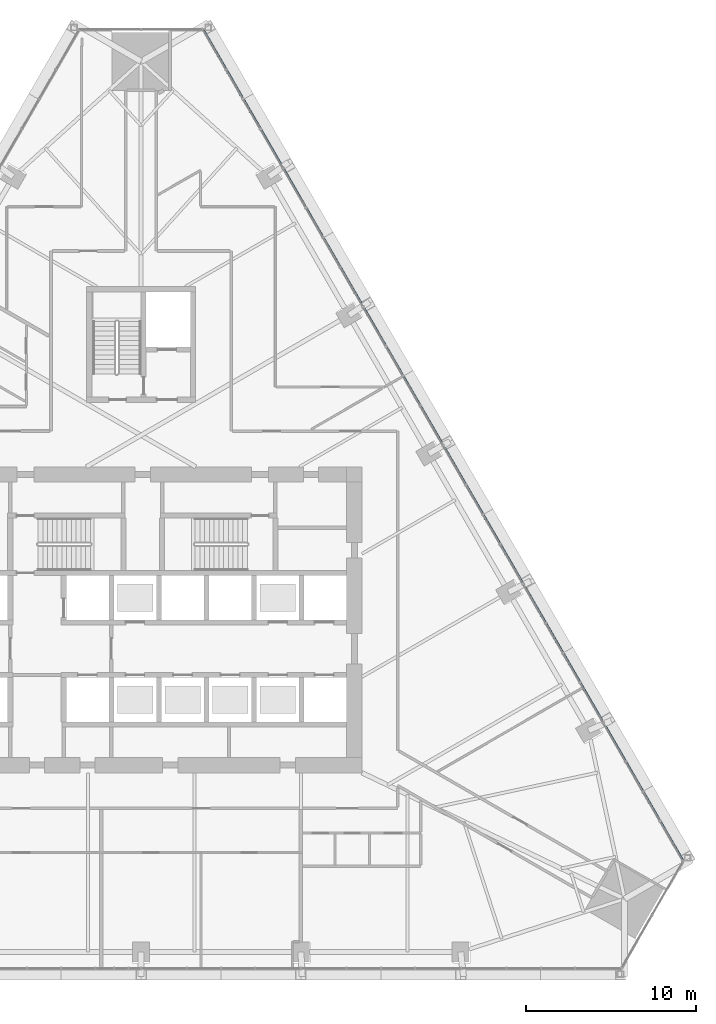
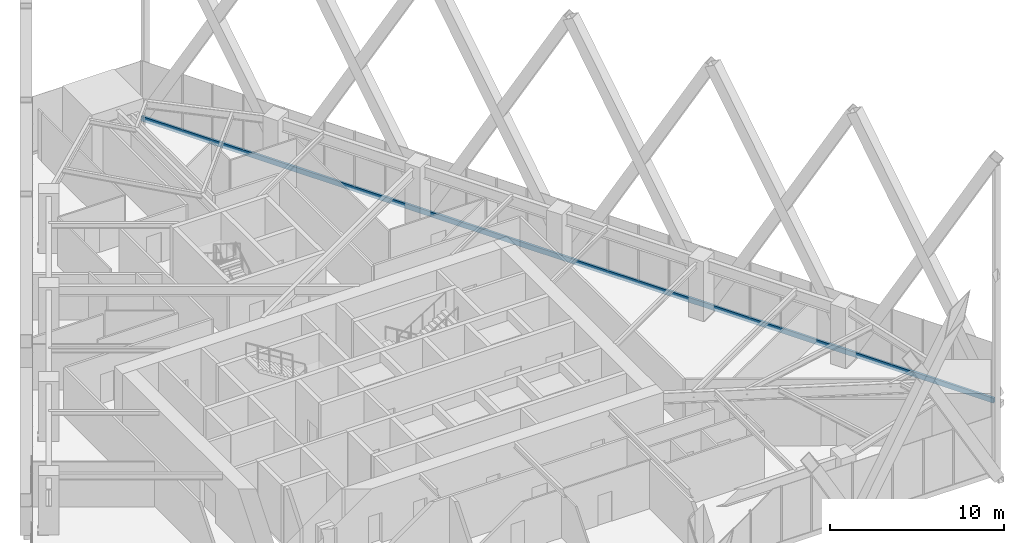
# One storey, part 9 of 21: 1 member, 1 element without a shape of its own.
"""IFC4 building model written with IfcOpenShell, lengths in metres."""

import ifcopenshell
import ifcopenshell.guid

model = None  # the IFC model being written
_history = None  # IfcOwnerHistory: only IFC2X3 demands one
_inside = {}  # id of a spatial element -> (the spatial element, [elements in it])
_under = {}  # id of a project, library or spatial element -> (it, [spatial elements below it])
_declared = {}  # id of a project -> (the project, [libraries it declares])
_typed = {}  # id of a type object -> (the type object, [elements of that type])
_made_of = {}  # id of a material, layer set ... -> (it, [elements and type objects made of it])


def new_model(schema):
    """Start an empty IFC model of exactly this schema.

    Asked for "IFC4X3", IfcOpenShell would pick the latest addendum, in which some entities
    have other attributes; the version numbers below select the first issue.
    IFC2X3 requires an IfcOwnerHistory on every rooted entity: one is made here for all.
    """
    global model, _history
    if schema == "IFC4X3":
        model = ifcopenshell.file(schema_version=(4, 3, 0, 0))
    else:
        model = ifcopenshell.file(schema=schema)
    _inside.clear()
    _under.clear()
    _declared.clear()
    _typed.clear()
    _made_of.clear()
    _history = None
    if model.schema == "IFC2X3":
        org = make("IfcOrganization", Name="unknown")
        user = make(
            "IfcPersonAndOrganization",
            ThePerson=make("IfcPerson", FamilyName="unknown"),
            TheOrganization=org,
        )
        app = make(
            "IfcApplication",
            ApplicationDeveloper=org,
            Version="unknown",
            ApplicationFullName="unknown",
            ApplicationIdentifier="unknown",
        )
        _history = make(
            "IfcOwnerHistory",
            OwningUser=user,
            OwningApplication=app,
            ChangeAction="ADDED",
            CreationDate=0,
        )
    return model


def make(cls, **values):
    """One entity of the class cls with the attributes given. An attribute that is None is left unset."""
    return model.create_entity(
        cls, **{name: value for name, value in values.items() if value is not None}
    )


def rooted(cls, **values):
    """An entity with a GlobalId (a new one), such as an element, a storey or a relation."""
    return make(cls, GlobalId=ifcopenshell.guid.new(), OwnerHistory=_history, **values)


def si_unit(unit_type, name, prefix=None):
    """IfcSIUnit, for example si_unit("LENGTHUNIT", "METRE", prefix="MILLI")."""
    return make("IfcSIUnit", UnitType=unit_type, Prefix=prefix, Name=name)


def assignment(units):
    """IfcUnitAssignment: the units of a project."""
    return None if units is None else make("IfcUnitAssignment", Units=units)


def point(xyz):
    """IfcCartesianPoint."""
    return None if xyz is None else make("IfcCartesianPoint", Coordinates=xyz)


def direction(xyz):
    """IfcDirection."""
    return None if xyz is None else make("IfcDirection", DirectionRatios=xyz)


def frame(location, z_axis=None, x_axis=None):
    """IfcAxis2Placement3D, a coordinate frame: its origin and axes. An axis left out is left unset."""
    return make(
        "IfcAxis2Placement3D",
        Location=point(location),
        Axis=direction(z_axis),
        RefDirection=direction(x_axis),
    )


def frame_2d(location, x_axis=None):
    """IfcAxis2Placement2D, a coordinate frame in the plane: its origin and x axis."""
    return make(
        "IfcAxis2Placement2D", Location=point(location), RefDirection=direction(x_axis)
    )


def origin():
    """The frame at (0, 0, 0) with its axes left unset."""
    return frame((0.0, 0.0, 0.0))


def origin_2d():
    """The frame at (0, 0) in the plane with its x axis left unset."""
    return frame_2d((0.0, 0.0))


def place(relative_to, where):
    """IfcLocalPlacement: puts the frame where relative to a parent placement (None: the world)."""
    return make(
        "IfcLocalPlacement", PlacementRelTo=relative_to, RelativePlacement=where
    )


def context(
    kind, dimensions, precision=None, world=None, true_north=None, identifier=None
):
    """IfcGeometricRepresentationContext, for example the 3D "Model" context."""
    return make(
        "IfcGeometricRepresentationContext",
        ContextIdentifier=identifier,
        ContextType=kind,
        CoordinateSpaceDimension=dimensions,
        Precision=precision,
        WorldCoordinateSystem=world,
        TrueNorth=true_north,
    )


def subcontext(parent, identifier, kind, view, scale=None):
    """IfcGeometricRepresentationSubContext, for example "Body" below "Model"."""
    return make(
        "IfcGeometricRepresentationSubContext",
        ContextIdentifier=identifier,
        ContextType=kind,
        ParentContext=parent,
        TargetScale=scale,
        TargetView=view,
    )


def project(units=None, contexts=None):
    """IfcProject with its units and contexts."""
    return rooted(
        "IfcProject",
        Name="project",
        RepresentationContexts=contexts,
        UnitsInContext=assignment(units),
    )


def spatial(cls, under=None, at=None, **own):
    """A site, building, storey or space (cls), placed at a placement, below another one or the project."""
    s = rooted(cls, ObjectPlacement=at, **own)
    if under is not None:
        _under.setdefault(under.id(), (under, []))[1].append(s)
    return s


def profile(cls, at=None, kind="AREA", **sizes):
    """A parametric profile (cls). Its sizes go by their IFC names, for example OverallWidth=200.0."""
    return make(cls, ProfileType=kind, Position=at, **sizes)


def rectangle(**sizes):
    """IfcRectangleProfileDef."""
    return profile("IfcRectangleProfileDef", **sizes)


def extrude(swept, where, along, depth):
    """IfcExtrudedAreaSolid: the profile swept, set in the frame where, extruded along a direction by depth."""
    return make(
        "IfcExtrudedAreaSolid",
        SweptArea=swept,
        Position=where,
        ExtrudedDirection=direction(along),
        Depth=depth,
    )


def shape(context_of_items, identifier, shape_type, items):
    """IfcShapeRepresentation: the items that make up one representation, for example the "Body"."""
    return make(
        "IfcShapeRepresentation",
        ContextOfItems=context_of_items,
        RepresentationIdentifier=identifier,
        RepresentationType=shape_type,
        Items=items,
    )


def material(Name=None, Category=None):
    """IfcMaterial."""
    return make("IfcMaterial", Name=Name, Category=Category)


def layer(
    of_material, thickness, ventilated=None, Name=None, Category=None, Priority=None
):
    """IfcMaterialLayer: one layer of a wall or slab, of a material (None: an air gap)."""
    return make(
        "IfcMaterialLayer",
        Material=of_material,
        LayerThickness=thickness,
        IsVentilated=ventilated,
        Name=Name,
        Category=Category,
        Priority=Priority,
    )


def layer_set(layers, Name=None):
    """IfcMaterialLayerSet."""
    return make("IfcMaterialLayerSet", MaterialLayers=layers, LayerSetName=Name)


def material_profile(
    of_material, cross_section, Name=None, Category=None, Priority=None
):
    """IfcMaterialProfile: a cross section and its material."""
    return make(
        "IfcMaterialProfile",
        Name=Name,
        Material=of_material,
        Profile=cross_section,
        Priority=Priority,
        Category=Category,
    )


def profile_set(profiles, Name=None, composite=None):
    """IfcMaterialProfileSet."""
    return make(
        "IfcMaterialProfileSet",
        Name=Name,
        MaterialProfiles=profiles,
        CompositeProfile=composite,
    )


def made_of(thing, what):
    """Note that an element or type object is made of a material, layer set ...; save() writes the relation."""
    if what is not None:
        _made_of.setdefault(what.id(), (what, []))[1].append(thing)
    return thing


def type_object(cls, material=None, **own):
    """A type object (cls), such as IfcWallType, which elements share."""
    return made_of(rooted(cls, **own), material)


def element(
    cls,
    number,
    at=None,
    inside=None,
    cuts=None,
    type_object=None,
    material=None,
    context=None,
    identifier="Body",
    shape_type=None,
    held_by="IfcProductDefinitionShape",
    body=None,
    shapes=None,
    **own,
):
    """One element of the class cls, such as IfcWall. Its Tag is "e" and its number.

    at: its placement. inside: the storey or other place that contains it. cuts: it is an
    opening in that element (IfcRelVoidsElement). A single representation is given by context,
    identifier, shape_type and body (its items); several are given by shapes. held_by: the class
    of the entity that holds the representations. save() writes the other relations.
    """
    e = rooted(cls, Tag="e%d" % number, ObjectPlacement=at, **own)
    if body is not None:
        shapes = [shape(context, identifier, shape_type, body)]
    if shapes is not None:
        e.Representation = make(held_by, Representations=shapes)
    if inside is not None:
        _inside.setdefault(inside.id(), (inside, []))[1].append(e)
    if cuts is not None:
        rooted(
            "IfcRelVoidsElement", RelatingBuildingElement=cuts, RelatedOpeningElement=e
        )
    if type_object is not None:
        _typed.setdefault(type_object.id(), (type_object, []))[1].append(e)
    return made_of(e, material)


def aggregate(whole, parts):
    """IfcRelAggregates: a whole, such as a stair, and the parts it consists of."""
    return rooted("IfcRelAggregates", RelatingObject=whole, RelatedObjects=parts)


def save(model, path):
    """Write the relations noted so far, then the file.

    IfcRelAggregates (storeys below a building ...), IfcRelContainedInSpatialStructure (elements
    in a storey), IfcRelDefinesByType, IfcRelAssociatesMaterial and IfcRelDeclares: one each for
    every whole, place, type object, material and project.
    """
    for whole, parts in _under.values():
        aggregate(whole, parts)
    for where, things in _inside.values():
        rooted(
            "IfcRelContainedInSpatialStructure",
            RelatedElements=things,
            RelatingStructure=where,
        )
    for kind, things in _typed.values():
        rooted("IfcRelDefinesByType", RelatedObjects=things, RelatingType=kind)
    for what, things in _made_of.values():
        rooted("IfcRelAssociatesMaterial", RelatedObjects=things, RelatingMaterial=what)
    for by, libraries in _declared.values():
        rooted("IfcRelDeclares", RelatingContext=by, RelatedDefinitions=libraries)
    model.write(path)


model = new_model("IFC4")

# Units and contexts
model_context = context("Model", 3, precision=1e-05, world=origin(), true_north=direction((0.0, 1.0)))
body_context = subcontext(model_context, "Body", "Model", "MODEL_VIEW")
ifc_project = project(units=[si_unit("LENGTHUNIT", "METRE"), si_unit("AREAUNIT", "SQUARE_METRE"), si_unit("VOLUMEUNIT", "CUBIC_METRE"), si_unit("PLANEANGLEUNIT", "RADIAN"), si_unit("MASSUNIT", "GRAM", prefix="KILO")], contexts=[model_context])

# Site, building, storey
site_placement = place(None, origin())
site = spatial("IfcSite", under=ifc_project, at=site_placement, CompositionType="ELEMENT")
building_placement = place(site_placement, origin())
building = spatial("IfcBuilding", under=site, at=building_placement, Name="Firuza Gate Tower and Library", CompositionType="ELEMENT")
storey_placement = place(building_placement, frame((0.0, 0.0, 90.39990234375)))
storey = spatial("IfcBuildingStorey", under=building, at=storey_placement, Name="L20", CompositionType="ELEMENT", Elevation=90.39990234375)

# Curtain wall, member
ifc_material_1 = material(Name="Aluminium 6063-T6", Category="aluminium")
ifc_layer = layer(ifc_material_1, 0.14990234375)
ifc_layer_set = layer_set([ifc_layer], Name="Unitised curtain wall, offices")
curtain_wall_type = type_object("IfcCurtainWallType", Name="Unitised curtain wall, offices", PredefinedType="NOTDEFINED", material=ifc_layer_set)
curtain_wall_placement = place(storey_placement, origin())
curtain_wall = element("IfcCurtainWall", 1, at=curtain_wall_placement, inside=storey, type_object=curtain_wall_type, Name="CW1 L20 E face", PredefinedType="NOTDEFINED")
ifc_material_2 = material(Name="Aluminium 6063-T6", Category="aluminium")
ifc_material_profile = material_profile(ifc_material_2, rectangle(XDim=0.14990234375, YDim=0.35009765625, at=origin_2d()))
ifc_profile_set = profile_set([ifc_material_profile], Name="Aluminium 6063-T6")
member_type = type_object("IfcMemberType", Name="Curtain wall transom 350x150", PredefinedType="USERDEFINED", material=ifc_profile_set)
member_placement = place(storey_placement, frame((106.896728515625, 60.791259765625, -0.02490234375), z_axis=(-0.499998712401, 0.866026147179, 0.0), x_axis=(-0.866026147179, -0.499998712401, 0.0)))
member = element("IfcMember", 2, at=member_placement, type_object=member_type, Name="Transom", ObjectType="TRANSOM", PredefinedType="USERDEFINED", context=body_context, shape_type="SweptSolid", body=[
    extrude(rectangle(XDim=0.14990234375, YDim=0.35009765625, at=origin_2d()), origin(), (0.0, 0.0, 1.0), 56.507080078125),
])
aggregate(curtain_wall, [member])

save(model, "model.ifc")
